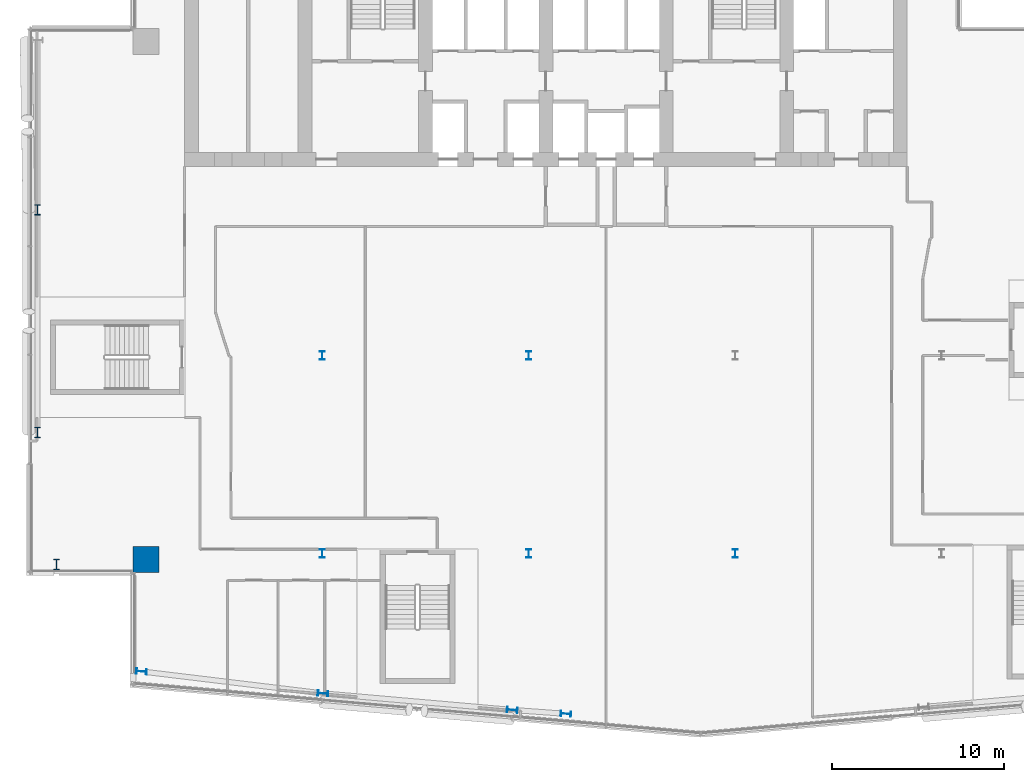
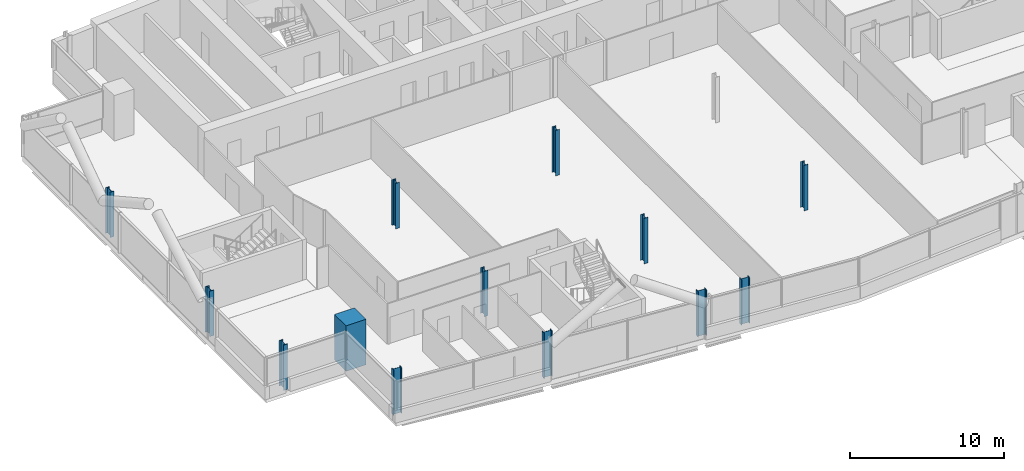
# One storey, part 1 of 26: 13 columns.
"""IFC4 building model written with IfcOpenShell, lengths in metres."""

import ifcopenshell
import ifcopenshell.guid

model = None  # the IFC model being written
_history = None  # IfcOwnerHistory: only IFC2X3 demands one
_inside = {}  # id of a spatial element -> (the spatial element, [elements in it])
_under = {}  # id of a project, library or spatial element -> (it, [spatial elements below it])
_declared = {}  # id of a project -> (the project, [libraries it declares])
_typed = {}  # id of a type object -> (the type object, [elements of that type])
_made_of = {}  # id of a material, layer set ... -> (it, [elements and type objects made of it])


def new_model(schema):
    """Start an empty IFC model of exactly this schema.

    Asked for "IFC4X3", IfcOpenShell would pick the latest addendum, in which some entities
    have other attributes; the version numbers below select the first issue.
    IFC2X3 requires an IfcOwnerHistory on every rooted entity: one is made here for all.
    """
    global model, _history
    if schema == "IFC4X3":
        model = ifcopenshell.file(schema_version=(4, 3, 0, 0))
    else:
        model = ifcopenshell.file(schema=schema)
    _inside.clear()
    _under.clear()
    _declared.clear()
    _typed.clear()
    _made_of.clear()
    _history = None
    if model.schema == "IFC2X3":
        org = make("IfcOrganization", Name="unknown")
        user = make(
            "IfcPersonAndOrganization",
            ThePerson=make("IfcPerson", FamilyName="unknown"),
            TheOrganization=org,
        )
        app = make(
            "IfcApplication",
            ApplicationDeveloper=org,
            Version="unknown",
            ApplicationFullName="unknown",
            ApplicationIdentifier="unknown",
        )
        _history = make(
            "IfcOwnerHistory",
            OwningUser=user,
            OwningApplication=app,
            ChangeAction="ADDED",
            CreationDate=0,
        )
    return model


def make(cls, **values):
    """One entity of the class cls with the attributes given. An attribute that is None is left unset."""
    return model.create_entity(
        cls, **{name: value for name, value in values.items() if value is not None}
    )


def rooted(cls, **values):
    """An entity with a GlobalId (a new one), such as an element, a storey or a relation."""
    return make(cls, GlobalId=ifcopenshell.guid.new(), OwnerHistory=_history, **values)


def si_unit(unit_type, name, prefix=None):
    """IfcSIUnit, for example si_unit("LENGTHUNIT", "METRE", prefix="MILLI")."""
    return make("IfcSIUnit", UnitType=unit_type, Prefix=prefix, Name=name)


def assignment(units):
    """IfcUnitAssignment: the units of a project."""
    return None if units is None else make("IfcUnitAssignment", Units=units)


def point(xyz):
    """IfcCartesianPoint."""
    return None if xyz is None else make("IfcCartesianPoint", Coordinates=xyz)


def direction(xyz):
    """IfcDirection."""
    return None if xyz is None else make("IfcDirection", DirectionRatios=xyz)


def frame(location, z_axis=None, x_axis=None):
    """IfcAxis2Placement3D, a coordinate frame: its origin and axes. An axis left out is left unset."""
    return make(
        "IfcAxis2Placement3D",
        Location=point(location),
        Axis=direction(z_axis),
        RefDirection=direction(x_axis),
    )


def frame_2d(location, x_axis=None):
    """IfcAxis2Placement2D, a coordinate frame in the plane: its origin and x axis."""
    return make(
        "IfcAxis2Placement2D", Location=point(location), RefDirection=direction(x_axis)
    )


def origin():
    """The frame at (0, 0, 0) with its axes left unset."""
    return frame((0.0, 0.0, 0.0))


def origin_2d():
    """The frame at (0, 0) in the plane with its x axis left unset."""
    return frame_2d((0.0, 0.0))


def place(relative_to, where):
    """IfcLocalPlacement: puts the frame where relative to a parent placement (None: the world)."""
    return make(
        "IfcLocalPlacement", PlacementRelTo=relative_to, RelativePlacement=where
    )


def context(
    kind, dimensions, precision=None, world=None, true_north=None, identifier=None
):
    """IfcGeometricRepresentationContext, for example the 3D "Model" context."""
    return make(
        "IfcGeometricRepresentationContext",
        ContextIdentifier=identifier,
        ContextType=kind,
        CoordinateSpaceDimension=dimensions,
        Precision=precision,
        WorldCoordinateSystem=world,
        TrueNorth=true_north,
    )


def subcontext(parent, identifier, kind, view, scale=None):
    """IfcGeometricRepresentationSubContext, for example "Body" below "Model"."""
    return make(
        "IfcGeometricRepresentationSubContext",
        ContextIdentifier=identifier,
        ContextType=kind,
        ParentContext=parent,
        TargetScale=scale,
        TargetView=view,
    )


def project(units=None, contexts=None):
    """IfcProject with its units and contexts."""
    return rooted(
        "IfcProject",
        Name="project",
        RepresentationContexts=contexts,
        UnitsInContext=assignment(units),
    )


def spatial(cls, under=None, at=None, **own):
    """A site, building, storey or space (cls), placed at a placement, below another one or the project."""
    s = rooted(cls, ObjectPlacement=at, **own)
    if under is not None:
        _under.setdefault(under.id(), (under, []))[1].append(s)
    return s


def profile(cls, at=None, kind="AREA", **sizes):
    """A parametric profile (cls). Its sizes go by their IFC names, for example OverallWidth=200.0."""
    return make(cls, ProfileType=kind, Position=at, **sizes)


def rectangle(**sizes):
    """IfcRectangleProfileDef."""
    return profile("IfcRectangleProfileDef", **sizes)


def i_section(**sizes):
    """IfcIShapeProfileDef."""
    return profile("IfcIShapeProfileDef", **sizes)


def extrude(swept, where, along, depth):
    """IfcExtrudedAreaSolid: the profile swept, set in the frame where, extruded along a direction by depth."""
    return make(
        "IfcExtrudedAreaSolid",
        SweptArea=swept,
        Position=where,
        ExtrudedDirection=direction(along),
        Depth=depth,
    )


def shape(context_of_items, identifier, shape_type, items):
    """IfcShapeRepresentation: the items that make up one representation, for example the "Body"."""
    return make(
        "IfcShapeRepresentation",
        ContextOfItems=context_of_items,
        RepresentationIdentifier=identifier,
        RepresentationType=shape_type,
        Items=items,
    )


def material(Name=None, Category=None):
    """IfcMaterial."""
    return make("IfcMaterial", Name=Name, Category=Category)


def material_profile(
    of_material, cross_section, Name=None, Category=None, Priority=None
):
    """IfcMaterialProfile: a cross section and its material."""
    return make(
        "IfcMaterialProfile",
        Name=Name,
        Material=of_material,
        Profile=cross_section,
        Priority=Priority,
        Category=Category,
    )


def profile_set(profiles, Name=None, composite=None):
    """IfcMaterialProfileSet."""
    return make(
        "IfcMaterialProfileSet",
        Name=Name,
        MaterialProfiles=profiles,
        CompositeProfile=composite,
    )


def made_of(thing, what):
    """Note that an element or type object is made of a material, layer set ...; save() writes the relation."""
    if what is not None:
        _made_of.setdefault(what.id(), (what, []))[1].append(thing)
    return thing


def type_object(cls, material=None, **own):
    """A type object (cls), such as IfcWallType, which elements share."""
    return made_of(rooted(cls, **own), material)


def element(
    cls,
    number,
    at=None,
    inside=None,
    cuts=None,
    type_object=None,
    material=None,
    context=None,
    identifier="Body",
    shape_type=None,
    held_by="IfcProductDefinitionShape",
    body=None,
    shapes=None,
    **own,
):
    """One element of the class cls, such as IfcWall. Its Tag is "e" and its number.

    at: its placement. inside: the storey or other place that contains it. cuts: it is an
    opening in that element (IfcRelVoidsElement). A single representation is given by context,
    identifier, shape_type and body (its items); several are given by shapes. held_by: the class
    of the entity that holds the representations. save() writes the other relations.
    """
    e = rooted(cls, Tag="e%d" % number, ObjectPlacement=at, **own)
    if body is not None:
        shapes = [shape(context, identifier, shape_type, body)]
    if shapes is not None:
        e.Representation = make(held_by, Representations=shapes)
    if inside is not None:
        _inside.setdefault(inside.id(), (inside, []))[1].append(e)
    if cuts is not None:
        rooted(
            "IfcRelVoidsElement", RelatingBuildingElement=cuts, RelatedOpeningElement=e
        )
    if type_object is not None:
        _typed.setdefault(type_object.id(), (type_object, []))[1].append(e)
    return made_of(e, material)


def aggregate(whole, parts):
    """IfcRelAggregates: a whole, such as a stair, and the parts it consists of."""
    return rooted("IfcRelAggregates", RelatingObject=whole, RelatedObjects=parts)


def save(model, path):
    """Write the relations noted so far, then the file.

    IfcRelAggregates (storeys below a building ...), IfcRelContainedInSpatialStructure (elements
    in a storey), IfcRelDefinesByType, IfcRelAssociatesMaterial and IfcRelDeclares: one each for
    every whole, place, type object, material and project.
    """
    for whole, parts in _under.values():
        aggregate(whole, parts)
    for where, things in _inside.values():
        rooted(
            "IfcRelContainedInSpatialStructure",
            RelatedElements=things,
            RelatingStructure=where,
        )
    for kind, things in _typed.values():
        rooted("IfcRelDefinesByType", RelatedObjects=things, RelatingType=kind)
    for what, things in _made_of.values():
        rooted("IfcRelAssociatesMaterial", RelatedObjects=things, RelatingMaterial=what)
    for by, libraries in _declared.values():
        rooted("IfcRelDeclares", RelatingContext=by, RelatedDefinitions=libraries)
    model.write(path)


model = new_model("IFC4")

# Units and contexts
model_context = context("Model", 3, precision=1e-05, world=origin(), true_north=direction((0.0, 1.0)))
body_context = subcontext(model_context, "Body", "Model", "MODEL_VIEW")
ifc_project = project(units=[si_unit("LENGTHUNIT", "METRE"), si_unit("AREAUNIT", "SQUARE_METRE"), si_unit("VOLUMEUNIT", "CUBIC_METRE"), si_unit("PLANEANGLEUNIT", "RADIAN"), si_unit("MASSUNIT", "GRAM", prefix="KILO")], contexts=[model_context])

# Site, building, storey
site_placement = place(None, origin())
site = spatial("IfcSite", under=ifc_project, at=site_placement, CompositionType="ELEMENT")
building_placement = place(site_placement, origin())
building = spatial("IfcBuilding", under=site, at=building_placement, Name="Wharfspan Tower", CompositionType="ELEMENT")
storey_placement = place(building_placement, frame((0.0, 0.0, 177.100098)))
storey = spatial("IfcBuildingStorey", under=building, at=storey_placement, Name="L43", CompositionType="ELEMENT", Elevation=177.100098)

# Columns
ifc_material_1 = material(Name="Steel S355J2", Category="steel")
ifc_material_profile_1 = material_profile(ifc_material_1, i_section(OverallWidth=0.300049, OverallDepth=0.5, WebThickness=0.014404, FlangeThickness=0.028076, FilletRadius=0.0271, at=origin_2d()))
ifc_profile_set_1 = profile_set([ifc_material_profile_1], Name="Steel S355J2")
column_type_1 = type_object("IfcColumnType", Name="Column HEB 500", PredefinedType="COLUMN", material=ifc_profile_set_1)
for number, where, z_axis, x_axis, name in (
    (1, (24.0, 11.5, 0.0), (0.0, 0.0, 1.0), (1.0, 0.0, 0.0), "Interior column I.1.1 L43"),
    (2, (36.0, 11.5, 0.0), (0.0, 0.0, 1.0), (1.0, 0.0, 0.0), "Interior column I.1.2 L43"),
    (3, (48.0, 11.5, 0.0), (0.0, 0.0, 1.0), (1.0, 0.0, 0.0), "Interior column I.1.3 L43"),
    (4, (24.0, 23.0, 0.0), (0.0, 0.0, 1.0), (1.0, 0.0, 0.0), "Interior column I.2.1 L43"),
    (5, (36.0, 23.0, 0.0), (0.0, 0.0, 1.0), (1.0, 0.0, 0.0), "Interior column I.2.2 L43"),
):
    element("IfcColumn", number, at=place(storey_placement, frame(where, z_axis=z_axis, x_axis=x_axis)), inside=storey, type_object=column_type_1, Name=name, PredefinedType="COLUMN", context=body_context, shape_type="SweptSolid", body=[
        extrude(i_section(OverallWidth=0.300049, OverallDepth=0.5, WebThickness=0.014404, FlangeThickness=0.028076, FilletRadius=0.0271, at=origin_2d()), origin(), (0.0, 0.0, 1.0), 3.599854),
    ])
ifc_material_profile_2 = material_profile(ifc_material_1, i_section(OverallWidth=0.304932, OverallDepth=0.620117, WebThickness=0.020996, FlangeThickness=0.040039, FilletRadius=0.0271, at=origin_2d()))
ifc_profile_set_2 = profile_set([ifc_material_profile_2], Name="Steel S355J2")
column_type_2 = type_object("IfcColumnType", Name="Column HEM 600", PredefinedType="COLUMN", material=ifc_profile_set_2)
for number, where, z_axis, x_axis, name in (
    (6, (13.490723, 4.637451, 0.0), (0.0, 0.0, 1.0), (-0.087156, -0.996198, 0.0), "Perimeter column PS1.1 L43"),
    (7, (24.039307, 3.361084, 0.0), (0.0, 0.0, 1.0), (-0.087156, -0.996198, 0.0), "Perimeter column PS1.2 L43"),
    (8, (35.039307, 2.398682, 0.0), (0.0, 0.0, 1.0), (-0.087156, -0.996198, 0.0), "Perimeter column PS1.3 L43"),
    (9, (38.161133, 2.174072, 0.0), (0.0, 0.0, 1.0), (-0.087156, -0.996198, 0.0), "Perimeter column PS1.4 L43"),
    (10, (7.449951, 31.466553, 0.0), (0.0, 0.0, 1.0), (-1.0, 0.0, 0.0), "Perimeter column PW.1 L43"),
    (11, (7.449951, 18.533447, 0.0), (0.0, 0.0, 1.0), (-1.0, 0.0, 0.0), "Perimeter column PW.2 L43"),
    (12, (8.560791, 10.854004, 0.0), (0.0, 0.0, 1.0), (-1.0, 0.0, 0.0), "Perimeter column PW.3 L43"),
):
    element("IfcColumn", number, at=place(storey_placement, frame(where, z_axis=z_axis, x_axis=x_axis)), inside=storey, type_object=column_type_2, Name=name, PredefinedType="COLUMN", context=body_context, shape_type="SweptSolid", body=[
        extrude(i_section(OverallWidth=0.304932, OverallDepth=0.620117, WebThickness=0.020996, FlangeThickness=0.040039, FilletRadius=0.0271, at=origin_2d()), origin(), (0.0, 0.0, 1.0), 3.599854),
    ])
ifc_material_2 = material(Name="Concrete C60/75", Category="concrete")
ifc_material_profile_3 = material_profile(ifc_material_2, rectangle(XDim=1.5, YDim=1.5, at=origin_2d()))
ifc_profile_set_3 = profile_set([ifc_material_profile_3], Name="Concrete C60/75")
column_type_3 = type_object("IfcColumnType", Name="Mega column 1500 C60/75", PredefinedType="COLUMN", material=ifc_profile_set_3)
column_placement = place(storey_placement, frame((13.75, 11.149902, 0.0), z_axis=(0.0, 0.0, 1.0), x_axis=(1.0, 0.0, 0.0)))
element("IfcColumn", 13, at=column_placement, inside=storey, type_object=column_type_3, Name="Mega column MC1 L43", PredefinedType="COLUMN", context=body_context, shape_type="SweptSolid", body=[
    extrude(rectangle(XDim=1.5, YDim=1.5, at=origin_2d()), origin(), (0.0, 0.0, 1.0), 3.599854),
])

save(model, "model.ifc")
